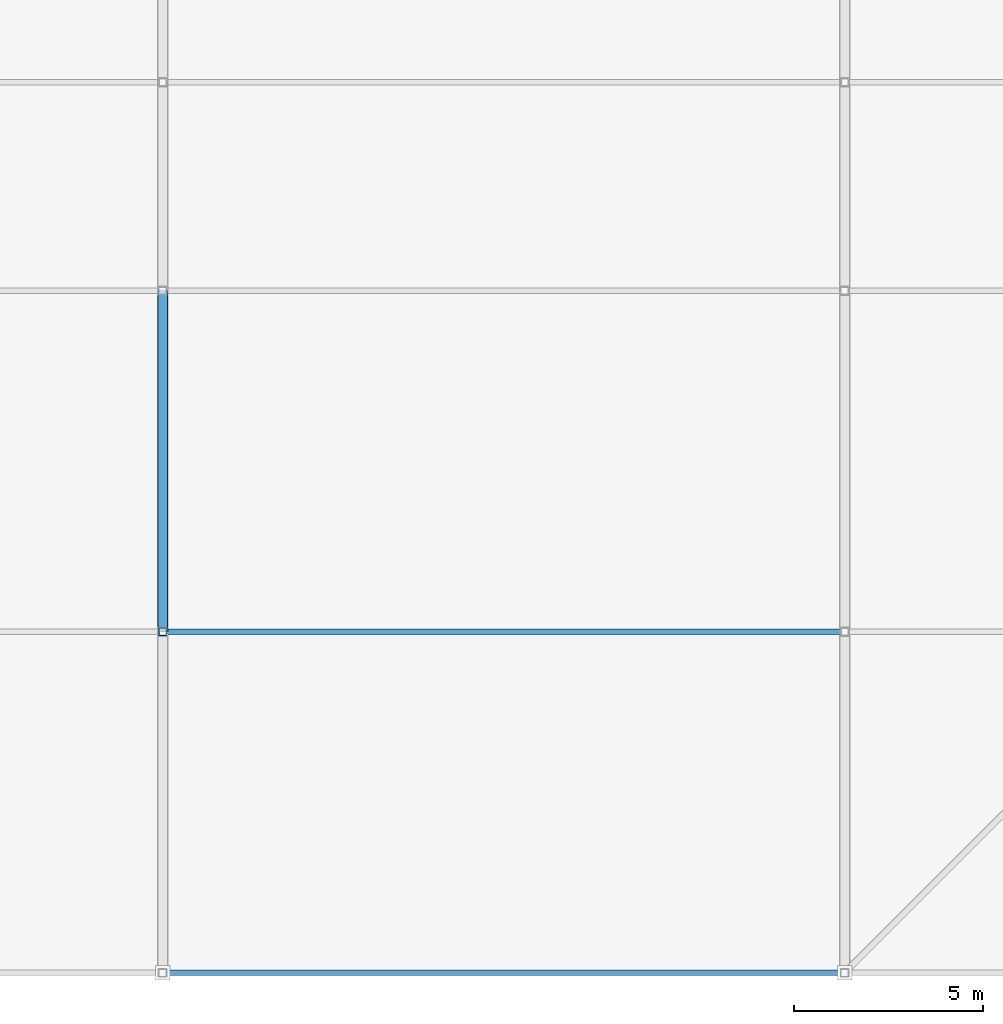
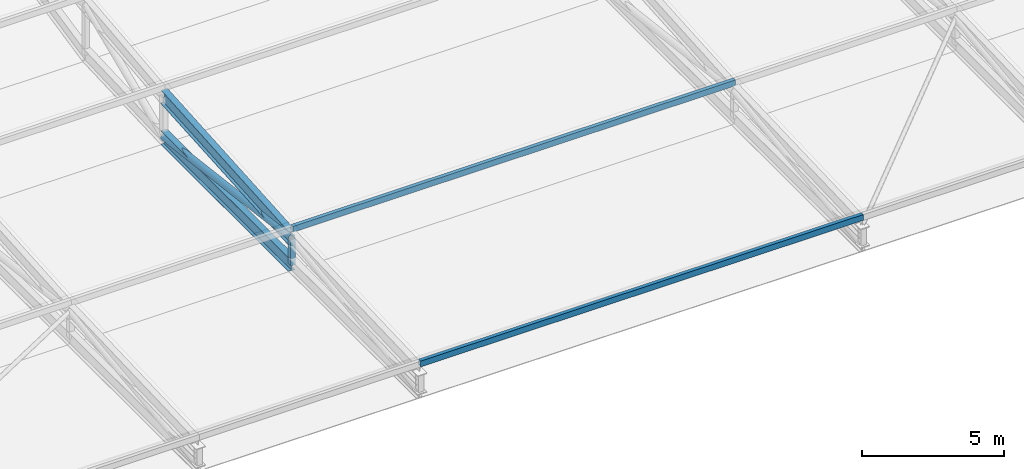
# One storey, part 15 of 114: 4 members, 2 beams.
"""IFC4 building model written with IfcOpenShell, lengths in metres."""

from ifc_helpers import new_model, si_unit, direction, frame, origin, origin_2d, place, context, subcontext, project, spatial, hollow_rectangle, hollow_circle, i_section, extrude, material, material_profile, profile_set, type_object, element, save


model = new_model("IFC4")

# Units and contexts
model_context = context("Model", 3, precision=1e-05, world=origin(), true_north=direction((0.0, 1.0)))
body_context = subcontext(model_context, "Body", "Model", "MODEL_VIEW")
ifc_project = project(units=[si_unit("LENGTHUNIT", "METRE"), si_unit("AREAUNIT", "SQUARE_METRE"), si_unit("VOLUMEUNIT", "CUBIC_METRE"), si_unit("PLANEANGLEUNIT", "RADIAN"), si_unit("MASSUNIT", "GRAM", prefix="KILO"), si_unit("THERMODYNAMICTEMPERATUREUNIT", "KELVIN"), si_unit("POWERUNIT", "WATT")], contexts=[model_context])

# Site, building, storey
site_placement = place(None, origin())
site = spatial("IfcSite", under=ifc_project, at=site_placement, CompositionType="ELEMENT")
building_placement = place(site_placement, origin())
building = spatial("IfcBuilding", under=site, at=building_placement, Name="Sindhuravela Promenade Stadium", CompositionType="ELEMENT")
storey_placement = place(building_placement, frame((0.0, 0.0, 24.0)))
storey = spatial("IfcBuildingStorey", under=building, at=storey_placement, Name="L05", CompositionType="ELEMENT", Elevation=24.0)

# Beams
ifc_material = material(Name="Steel E350 (IS 2062 E350BR)", Category="steel")
ifc_material_profile_1 = material_profile(ifc_material, i_section(OverallWidth=0.25, OverallDepth=0.60009765625, WebThickness=0.01171875, FlangeThickness=0.023681640625, FilletRadius=0.01708984375, at=origin_2d()), Name="ISWB 600")
ifc_profile_set_1 = profile_set([ifc_material_profile_1], Name="Steel E350 (IS 2062 E350BR)")
beam_type = type_object("IfcBeamType", Name="ST-BM-WB600", PredefinedType="USERDEFINED", material=ifc_profile_set_1)
beam_1_placement = place(storey_placement, frame((81.0, 18.0, 1.127197265625), z_axis=(0.0, 0.9975125305940163, 0.07048937017679613), x_axis=(-1.0, 0.0, 0.0)))
element("IfcBeam", 1, at=beam_1_placement, inside=storey, type_object=beam_type, Name="Roof truss RT-S03 top chord 2", ObjectType="ROOF TRUSS", PredefinedType="USERDEFINED", context=body_context, shape_type="SweptSolid", body=[
    extrude(i_section(OverallWidth=0.25, OverallDepth=0.60009765625, WebThickness=0.01171875, FlangeThickness=0.023681640625, FilletRadius=0.01708984375, at=origin_2d()), origin(), (0.0, 0.0, 1.0), 9.0224609375),
])
beam_2_placement = place(storey_placement, frame((81.0, 18.0, 0.0), z_axis=(0.0, 1.0, 0.0), x_axis=(-1.0, 0.0, 0.0)))
element("IfcBeam", 2, at=beam_2_placement, inside=storey, type_object=beam_type, Name="Roof truss RT-S03 bottom chord 2", ObjectType="ROOF TRUSS", PredefinedType="USERDEFINED", context=body_context, shape_type="SweptSolid", body=[
    extrude(i_section(OverallWidth=0.25, OverallDepth=0.60009765625, WebThickness=0.01171875, FlangeThickness=0.023681640625, FilletRadius=0.01708984375, at=origin_2d()), origin(), (0.0, 0.0, 1.0), 9.0),
])

# Members
ifc_material_profile_2 = material_profile(ifc_material, hollow_circle(Radius=0.136474609375, WallThickness=0.010009765625, at=origin_2d()), Name="CHS 273.0x10")
ifc_profile_set_2 = profile_set([ifc_material_profile_2], Name="Steel E350 (IS 2062 E350BR)")
member_type_1 = type_object("IfcMemberType", Name="ST-MB-CHS273", PredefinedType="BRACE", material=ifc_profile_set_2)
member_1_placement = place(storey_placement, frame((81.0, 18.0, 1.127197265625), z_axis=(0.0, 0.9922480329009012, -0.12427325216752011), x_axis=(-1.0, 0.0, 0.0)))
element("IfcMember", 3, at=member_1_placement, inside=storey, type_object=member_type_1, Name="Roof truss RT-S03 diagonal web 2", PredefinedType="BRACE", context=body_context, shape_type="SweptSolid", body=[
    extrude(hollow_circle(Radius=0.136474609375, WallThickness=0.010009765625, at=origin_2d()), origin(), (0.0, 0.0, 1.0), 9.0703125),
])
ifc_material_profile_3 = material_profile(ifc_material, hollow_rectangle(XDim=0.14990234375, YDim=0.25, WallThickness=0.010009765625, at=origin_2d()), Name="RHS 250x150x10")
ifc_profile_set_3 = profile_set([ifc_material_profile_3], Name="Steel E350 (IS 2062 E350BR)")
member_type_2 = type_object("IfcMemberType", Name="ST-MB-RHS250", PredefinedType="PURLIN", material=ifc_profile_set_3)
for number, where, z_axis, x_axis, name in (
    (4, (81.0, 9.0, 1.19189453125), (1.0, 0.0, 0.0), (0.0, 1.0, 0.0), "Roof purlin PR01 S bay 3.1"),
    (5, (81.0, 18.0, 1.51904296875), (1.0, 0.0, 0.0), (0.0, 1.0, 0.0), "Roof purlin PR01 S bay 3.2"),
):
    element("IfcMember", number, at=place(storey_placement, frame(where, z_axis=z_axis, x_axis=x_axis)), inside=storey, type_object=member_type_2, Name=name, PredefinedType="PURLIN", context=body_context, shape_type="SweptSolid", body=[
        extrude(hollow_rectangle(XDim=0.14990234375, YDim=0.25, WallThickness=0.010009765625, at=origin_2d()), origin(), (0.0, 0.0, 1.0), 18.0),
    ])
ifc_material_profile_4 = material_profile(ifc_material, hollow_rectangle(XDim=0.199951171875, YDim=0.199951171875, WallThickness=0.010009765625, at=origin_2d()), Name="SHS 200x200x10")
ifc_profile_set_4 = profile_set([ifc_material_profile_4], Name="Steel E350 (IS 2062 E350BR)")
member_type_3 = type_object("IfcMemberType", Name="ST-MB-SHS200", PredefinedType="POST", material=ifc_profile_set_4)
member_2_placement = place(storey_placement, frame((81.0, 18.0, 0.0), z_axis=(0.0, 0.0, 1.0), x_axis=(1.0, 0.0, 0.0)))
element("IfcMember", 6, at=member_2_placement, inside=storey, type_object=member_type_3, Name="Roof truss RT-S03 vertical post 2", PredefinedType="POST", context=body_context, shape_type="SweptSolid", body=[
    extrude(hollow_rectangle(XDim=0.199951171875, YDim=0.199951171875, WallThickness=0.010009765625, at=origin_2d()), origin(), (0.0, 0.0, 1.0), 1.127197265625),
])

save(model, "model.ifc")
